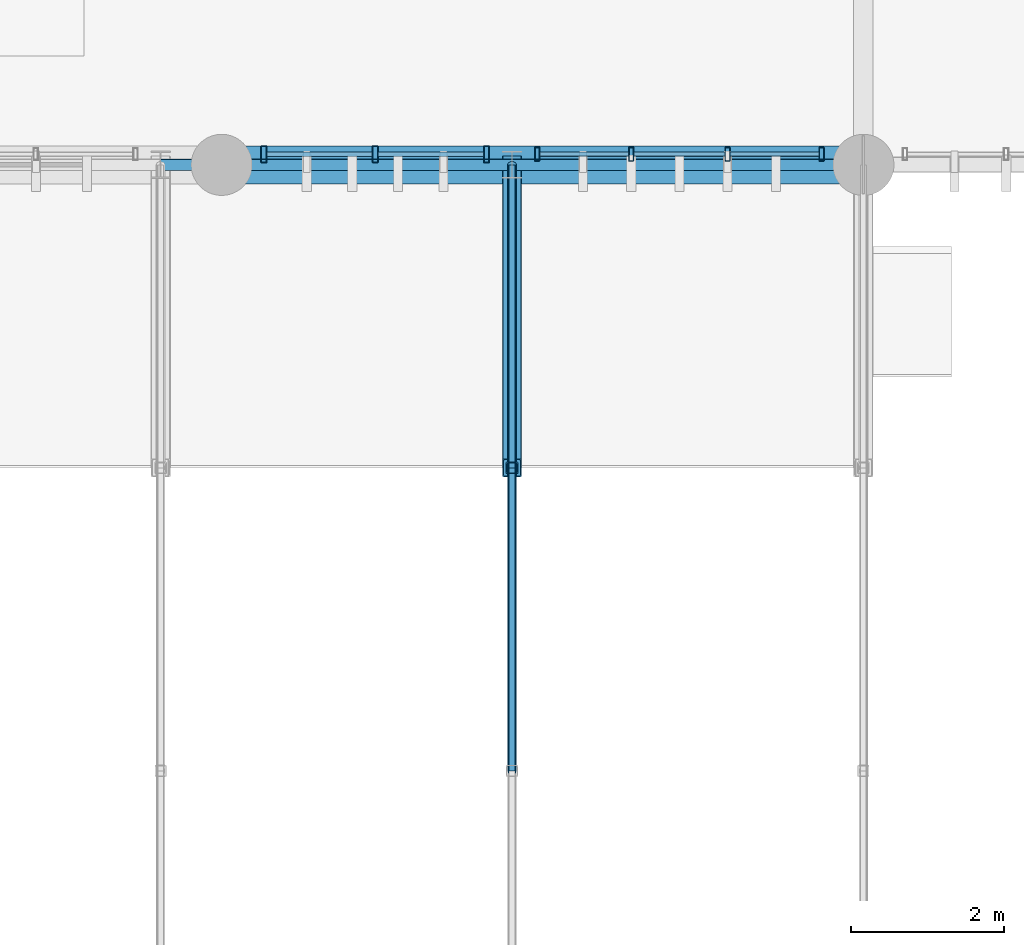
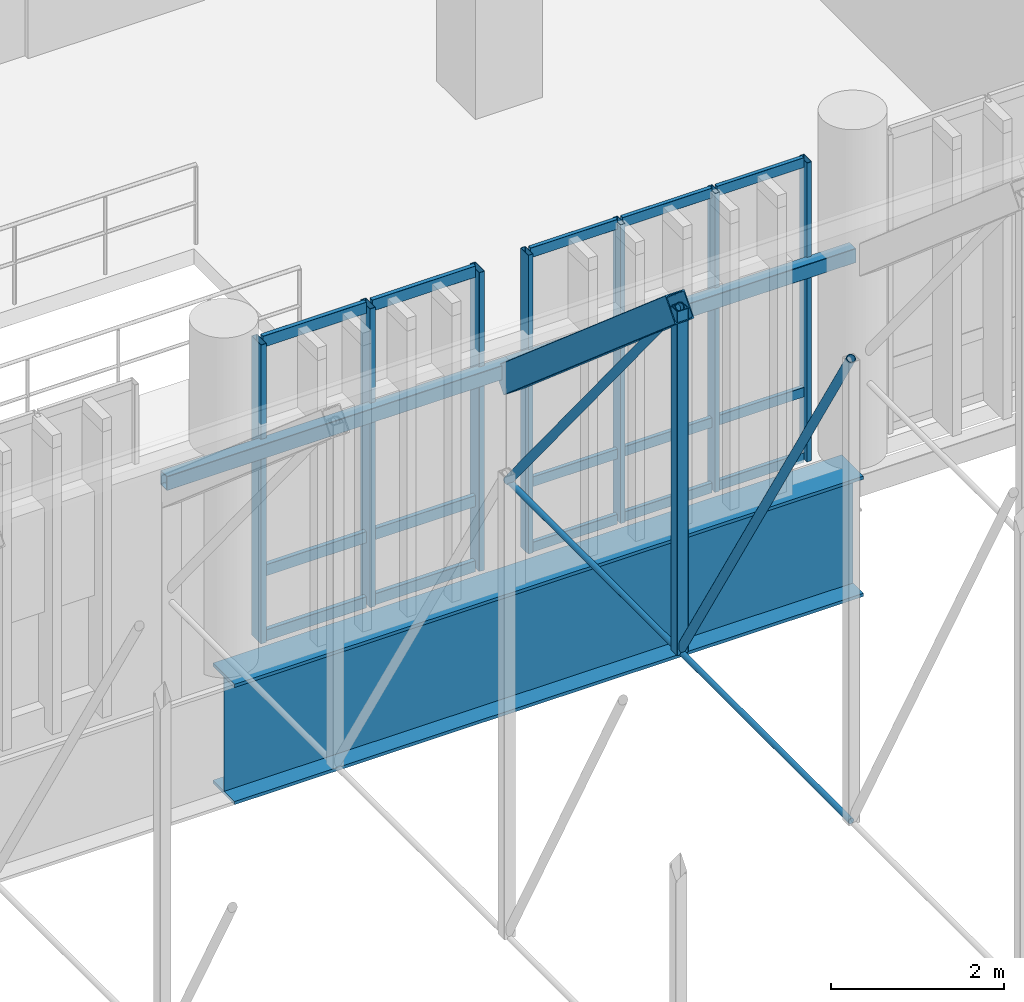
# One storey, part 19 of 109: 29 members, 2 beams, 2 elements without a shape of their own.
"""IFC4 building model written with IfcOpenShell, lengths in metres."""

from ifc_helpers import new_model, si_unit, direction, frame, origin_with_axes, origin_2d_with_axis, place, context, subcontext, project, spatial, hollow_rectangle, circle, hollow_circle, i_section, extrude, material, material_profile, profile_set, type_object, element, aggregate, save


model = new_model("IFC4")

# Units and contexts
model_context = context("Model", 3, precision=1e-05, world=origin_with_axes(), true_north=direction((0.0, 1.0)))
body_context = subcontext(model_context, "Body", "Model", "MODEL_VIEW")
ifc_project = project(units=[si_unit("LENGTHUNIT", "METRE"), si_unit("AREAUNIT", "SQUARE_METRE"), si_unit("VOLUMEUNIT", "CUBIC_METRE"), si_unit("PLANEANGLEUNIT", "RADIAN"), si_unit("MASSUNIT", "GRAM", prefix="KILO"), si_unit("THERMODYNAMICTEMPERATUREUNIT", "KELVIN")], contexts=[model_context])

# Site, building, storey
site_placement = place(None, origin_with_axes())
site = spatial("IfcSite", under=ifc_project, at=site_placement, CompositionType="ELEMENT")
building_placement = place(site_placement, origin_with_axes())
building = spatial("IfcBuilding", under=site, at=building_placement, Name="Montbau Bow Law Courts", CompositionType="ELEMENT")
storey_placement = place(building_placement, frame((0.0, 0.0, 10.8), z_axis=(0.0, 0.0, 1.0), x_axis=(1.0, 0.0, 0.0)))
storey = spatial("IfcBuildingStorey", under=building, at=storey_placement, Name="L02", CompositionType="ELEMENT", Elevation=10.8)

# Beams
ifc_material_1 = material(Name="Steel CSA G40.21 Grade 350WT (350 MPa)", Category="steel")
ifc_material_profile_1 = material_profile(ifc_material_1, hollow_rectangle(XDim=0.254, YDim=0.356, WallThickness=0.0127, InnerFilletRadius=0.0254, OuterFilletRadius=0.0127, at=origin_2d_with_axis()), Name="HSS356X254X13", Category="Main", Priority=0)
ifc_profile_set_1 = profile_set([ifc_material_profile_1], Name="Steel CSA G40.21 Grade 350WT (350 MPa)")
beam_type_1 = type_object("IfcBeamType", Name="B-ARC-01", PredefinedType="USERDEFINED", material=ifc_profile_set_1)
beam_1_placement = place(None, frame((34.4, 26.633, 16.836), z_axis=(0.0, 0.758621798, -0.651531249), x_axis=(-1.0, 0.0, 0.0)))
element("IfcBeam", 1, at=beam_1_placement, inside=storey, type_object=beam_type_1, Name="Barrel vault roof truss arch rib V1-042", ObjectType="ARCH_RIB", PredefinedType="USERDEFINED", context=body_context, shape_type="SweptSolid", body=[
    extrude(hollow_rectangle(XDim=0.254, YDim=0.356, WallThickness=0.0127, InnerFilletRadius=0.0254, OuterFilletRadius=0.0127, at=origin_2d_with_axis()), origin_with_axes(), (0.0, 0.0, 1.0), 5.22922),
])
ifc_material_profile_2 = material_profile(ifc_material_1, i_section(OverallWidth=0.5, OverallDepth=1.7, WebThickness=0.02, FlangeThickness=0.045, at=origin_2d_with_axis()), Name="WWF1700X480", Category="Main", Priority=0)
ifc_profile_set_2 = profile_set([ifc_material_profile_2], Name="Steel CSA G40.21 Grade 350WT (350 MPa)")
beam_type_2 = type_object("IfcBeamType", Name="B-TRG-02", PredefinedType="USERDEFINED", material=ifc_profile_set_2)
beam_2_placement = place(None, frame((30.6, 30.6, 9.73), z_axis=(1.0, 0.0, 0.0), x_axis=(0.0, 1.0, 0.0)))
element("IfcBeam", 2, at=beam_2_placement, inside=storey, type_object=beam_type_2, Name="VRG-L02-S0008:bm2_0011", ObjectType="GIRDER", PredefinedType="USERDEFINED", context=body_context, shape_type="SweptSolid", body=[
    extrude(i_section(OverallWidth=0.5, OverallDepth=1.7, WebThickness=0.02, FlangeThickness=0.045, at=origin_2d_with_axis()), origin_with_axes(), (0.0, 0.0, 1.0), 8.4),
])

# Curtain wall, members
ifc_material_2 = material(Name="Thermally Broken Extruded Aluminium AA 6063-T6", Category="aluminium")
curtain_wall_type = type_object("IfcCurtainWallType", Name="CW-TRC-01", PredefinedType="NOTDEFINED", material=ifc_material_2)
curtain_wall_1_placement = place(None, frame((31.115, 30.74, 10.8), z_axis=(0.0, 0.0, 1.0), x_axis=(1.0, 0.0, 0.0)))
curtain_wall_1 = element("IfcCurtainWall", 3, at=curtain_wall_1_placement, inside=storey, type_object=curtain_wall_type, Name="CW-L02-036:cw_0036", PredefinedType="NOTDEFINED")
ifc_material_profile_3 = material_profile(ifc_material_2, hollow_rectangle(XDim=0.075, YDim=0.22, WallThickness=0.005, InnerFilletRadius=0.01, OuterFilletRadius=0.005, at=origin_2d_with_axis()), Name="CWM-220X75", Category="Main", Priority=0)
ifc_profile_set_3 = profile_set([ifc_material_profile_3], Name="Thermally Broken Extruded Aluminium AA 6063-T6")
member_type_1 = type_object("IfcMemberType", Name="M-MUL-01", PredefinedType="MULLION", material=ifc_profile_set_3)
member_1_placement = place(None, frame((31.152, 30.74, 10.8), z_axis=(0.0, 0.0, 1.0), x_axis=(1.0, 0.0, 0.0)))
member_1 = element("IfcMember", 4, at=member_1_placement, type_object=member_type_1, Name="CW-L02-036-M01:cw_0036_M01", PredefinedType="MULLION", context=body_context, shape_type="SweptSolid", body=[
    extrude(hollow_rectangle(XDim=0.075, YDim=0.22, WallThickness=0.005, InnerFilletRadius=0.01, OuterFilletRadius=0.005, at=origin_2d_with_axis()), origin_with_axes(), (0.0, 0.0, 1.0), 4.22),
])
member_2_placement = place(None, frame((32.609, 30.74, 10.8), z_axis=(0.0, 0.0, 1.0), x_axis=(1.0, 0.0, 0.0)))
member_2 = element("IfcMember", 5, at=member_2_placement, type_object=member_type_1, Name="CW-L02-036-M02:cw_0036_M02", PredefinedType="MULLION", context=body_context, shape_type="SweptSolid", body=[
    extrude(hollow_rectangle(XDim=0.075, YDim=0.22, WallThickness=0.005, InnerFilletRadius=0.01, OuterFilletRadius=0.005, at=origin_2d_with_axis()), origin_with_axes(), (0.0, 0.0, 1.0), 4.22),
])
member_3_placement = place(None, frame((34.066, 30.74, 10.8), z_axis=(0.0, 0.0, 1.0), x_axis=(1.0, 0.0, 0.0)))
member_3 = element("IfcMember", 6, at=member_3_placement, type_object=member_type_1, Name="CW-L02-036-M03:cw_0036_M03", PredefinedType="MULLION", context=body_context, shape_type="SweptSolid", body=[
    extrude(hollow_rectangle(XDim=0.075, YDim=0.22, WallThickness=0.005, InnerFilletRadius=0.01, OuterFilletRadius=0.005, at=origin_2d_with_axis()), origin_with_axes(), (0.0, 0.0, 1.0), 4.22),
])

curtain_wall_2_placement = place(None, frame((34.697, 30.74, 10.8), z_axis=(0.0, 0.0, 1.0), x_axis=(1.0, 0.0, 0.0)))
curtain_wall_2 = element("IfcCurtainWall", 7, at=curtain_wall_2_placement, inside=storey, type_object=curtain_wall_type, Name="CW-L02-037:cw_0037", PredefinedType="NOTDEFINED")
ifc_material_profile_4 = material_profile(ifc_material_2, hollow_rectangle(XDim=0.065, YDim=0.18, WallThickness=0.005, InnerFilletRadius=0.01, OuterFilletRadius=0.005, at=origin_2d_with_axis()), Name="CWM-180X65", Category="Main", Priority=0)
ifc_profile_set_4 = profile_set([ifc_material_profile_4], Name="Thermally Broken Extruded Aluminium AA 6063-T6")
member_type_2 = type_object("IfcMemberType", Name="M-MUL-02", PredefinedType="MULLION", material=ifc_profile_set_4)
member_4_placement = place(None, frame((34.73, 30.74, 10.8), z_axis=(0.0, 0.0, 1.0), x_axis=(1.0, 0.0, 0.0)))
member_4 = element("IfcMember", 8, at=member_4_placement, type_object=member_type_2, Name="CW-L02-037-M01:cw_0037_M01", PredefinedType="MULLION", context=body_context, shape_type="SweptSolid", body=[
    extrude(hollow_rectangle(XDim=0.065, YDim=0.18, WallThickness=0.005, InnerFilletRadius=0.01, OuterFilletRadius=0.005, at=origin_2d_with_axis()), origin_with_axes(), (0.0, 0.0, 1.0), 4.22),
])
member_5_placement = place(None, frame((35.96, 30.74, 10.8), z_axis=(0.0, 0.0, 1.0), x_axis=(1.0, 0.0, 0.0)))
member_5 = element("IfcMember", 9, at=member_5_placement, type_object=member_type_2, Name="CW-L02-037-M02:cw_0037_M02", PredefinedType="MULLION", context=body_context, shape_type="SweptSolid", body=[
    extrude(hollow_rectangle(XDim=0.065, YDim=0.18, WallThickness=0.005, InnerFilletRadius=0.01, OuterFilletRadius=0.005, at=origin_2d_with_axis()), origin_with_axes(), (0.0, 0.0, 1.0), 4.22),
])
member_6_placement = place(None, frame((37.222, 30.74, 10.8), z_axis=(0.0, 0.0, 1.0), x_axis=(1.0, 0.0, 0.0)))
member_6 = element("IfcMember", 10, at=member_6_placement, type_object=member_type_2, Name="CW-L02-037-M03:cw_0037_M03", PredefinedType="MULLION", context=body_context, shape_type="SweptSolid", body=[
    extrude(hollow_rectangle(XDim=0.065, YDim=0.18, WallThickness=0.005, InnerFilletRadius=0.01, OuterFilletRadius=0.005, at=origin_2d_with_axis()), origin_with_axes(), (0.0, 0.0, 1.0), 4.22),
])
member_7_placement = place(None, frame((38.452, 30.74, 10.8), z_axis=(0.0, 0.0, 1.0), x_axis=(1.0, 0.0, 0.0)))
member_7 = element("IfcMember", 11, at=member_7_placement, type_object=member_type_2, Name="CW-L02-037-M04:cw_0037_M04", PredefinedType="MULLION", context=body_context, shape_type="SweptSolid", body=[
    extrude(hollow_rectangle(XDim=0.065, YDim=0.18, WallThickness=0.005, InnerFilletRadius=0.01, OuterFilletRadius=0.005, at=origin_2d_with_axis()), origin_with_axes(), (0.0, 0.0, 1.0), 4.22),
])

# Members
ifc_material_profile_5 = material_profile(ifc_material_1, hollow_rectangle(XDim=0.152, YDim=0.203, WallThickness=0.0095, InnerFilletRadius=0.019, OuterFilletRadius=0.0095, at=origin_2d_with_axis()), Name="HSS203X152X9.5", Category="Main", Priority=0)
ifc_profile_set_5 = profile_set([ifc_material_profile_5], Name="Steel CSA G40.21 Grade 350WT (350 MPa)")
member_type_3 = type_object("IfcMemberType", Name="M-PUR-01", PredefinedType="PURLIN", material=ifc_profile_set_5)
for number, where, z_axis, x_axis, name in (
    (12, (29.8, 30.6, 13.587), (1.0, 0.0, 0.0), (0.0, 1.0, 0.0), "Barrel vault roof truss purlin V1-042"),
    (13, (34.4, 30.6, 13.587), (1.0, 0.0, 0.0), (0.0, 1.0, 0.0), "Barrel vault roof truss purlin V1-049"),
):
    element("IfcMember", number, at=place(None, frame(where, z_axis=z_axis, x_axis=x_axis)), inside=storey, type_object=member_type_3, Name=name, PredefinedType="PURLIN", context=body_context, shape_type="SweptSolid", body=[
        extrude(hollow_rectangle(XDim=0.152, YDim=0.203, WallThickness=0.0095, InnerFilletRadius=0.019, OuterFilletRadius=0.0095, at=origin_2d_with_axis()), origin_with_axes(), (0.0, 0.0, 1.0), 4.6),
    ])
ifc_material_profile_6 = material_profile(ifc_material_1, hollow_rectangle(XDim=0.152, YDim=0.152, WallThickness=0.0095, InnerFilletRadius=0.019, OuterFilletRadius=0.0095, at=origin_2d_with_axis()), Name="HSS152X152X9.5", Category="Main", Priority=0)
ifc_profile_set_6 = profile_set([ifc_material_profile_6], Name="Steel CSA G40.21 Grade 350WT (350 MPa)")
member_type_4 = type_object("IfcMemberType", Name="M-STR-02", PredefinedType="STRUT", material=ifc_profile_set_6)
member_8_placement = place(None, frame((34.4, 26.633, 11.979), z_axis=(0.0, 0.0, 1.0), x_axis=(1.0, 0.0, 0.0)))
element("IfcMember", 14, at=member_8_placement, inside=storey, type_object=member_type_4, Name="Barrel vault roof truss web post V1-07-5", PredefinedType="STRUT", context=body_context, shape_type="SweptSolid", body=[
    extrude(hollow_rectangle(XDim=0.152, YDim=0.152, WallThickness=0.0095, InnerFilletRadius=0.019, OuterFilletRadius=0.0095, at=origin_2d_with_axis()), origin_with_axes(), (0.0, 0.0, 1.0), 4.857),
])
ifc_material_profile_7 = material_profile(ifc_material_1, hollow_circle(Radius=0.057, WallThickness=0.008, at=origin_2d_with_axis()), Name="HSS114X8.0", Category="Main", Priority=0)
ifc_profile_set_7 = profile_set([ifc_material_profile_7], Name="Steel CSA G40.21 Grade 350WT (350 MPa)")
member_type_5 = type_object("IfcMemberType", Name="M-STR-03", PredefinedType="STRUT", material=ifc_profile_set_7)
member_9_placement = place(None, frame((34.4, 22.667, 18.511), z_axis=(0.0, 0.518991793, -0.854779222), x_axis=(-1.0, 0.0, 0.0)))
element("IfcMember", 15, at=member_9_placement, inside=storey, type_object=member_type_5, Name="Barrel vault roof truss web diagonal V1-07-5", PredefinedType="STRUT", context=body_context, shape_type="SweptSolid", body=[
    extrude(hollow_circle(Radius=0.057, WallThickness=0.008, at=origin_2d_with_axis()), origin_with_axes(), (0.0, 0.0, 1.0), 7.641739),
])
member_10_placement = place(None, frame((34.4, 26.633, 16.836), z_axis=(0.0, 0.632577617, -0.774496971), x_axis=(-1.0, 0.0, 0.0)))
element("IfcMember", 16, at=member_10_placement, inside=storey, type_object=member_type_5, Name="Barrel vault roof truss web diagonal V1-07-6", PredefinedType="STRUT", context=body_context, shape_type="SweptSolid", body=[
    extrude(hollow_circle(Radius=0.057, WallThickness=0.008, at=origin_2d_with_axis()), origin_with_axes(), (0.0, 0.0, 1.0), 6.271167),
])
ifc_material_profile_8 = material_profile(ifc_material_1, circle(Radius=0.038, at=origin_2d_with_axis()), Name="ROD76", Category="Main", Priority=0)
ifc_profile_set_8 = profile_set([ifc_material_profile_8], Name="Steel CSA G40.21 Grade 350WT (350 MPa)")
member_type_6 = type_object("IfcMemberType", Name="M-TIE-01", PredefinedType="USERDEFINED", material=ifc_profile_set_8)
member_11_placement = place(None, frame((34.4, 22.667, 11.979), z_axis=(0.0, 1.0, 0.0), x_axis=(-1.0, 0.0, 0.0)))
element("IfcMember", 17, at=member_11_placement, inside=storey, type_object=member_type_6, Name="Barrel vault roof truss tie V1-041", ObjectType="TIEBAR", PredefinedType="USERDEFINED", context=body_context, shape_type="SweptSolid", body=[
    extrude(circle(Radius=0.038, at=origin_2d_with_axis()), origin_with_axes(), (0.0, 0.0, 1.0), 3.966),
])
member_12_placement = place(None, frame((34.4, 26.633, 11.979), z_axis=(0.0, 1.0, 0.0), x_axis=(-1.0, 0.0, 0.0)))
element("IfcMember", 18, at=member_12_placement, inside=storey, type_object=member_type_6, Name="Barrel vault roof truss tie V1-042", ObjectType="TIEBAR", PredefinedType="USERDEFINED", context=body_context, shape_type="SweptSolid", body=[
    extrude(circle(Radius=0.038, at=origin_2d_with_axis()), origin_with_axes(), (0.0, 0.0, 1.0), 3.967),
])

# Member
ifc_material_profile_9 = material_profile(ifc_material_2, hollow_rectangle(XDim=0.06, YDim=0.16, WallThickness=0.004, InnerFilletRadius=0.008, OuterFilletRadius=0.004, at=origin_2d_with_axis()), Name="CWT-160X60", Category="Main", Priority=0)
ifc_profile_set_9 = profile_set([ifc_material_profile_9], Name="Thermally Broken Extruded Aluminium AA 6063-T6")
member_type_7 = type_object("IfcMemberType", Name="M-TRN-01", PredefinedType="USERDEFINED", material=ifc_profile_set_9)
member_13_placement = place(None, frame((31.191, 30.74, 10.83), z_axis=(1.0, 0.0, 0.0), x_axis=(0.0, 1.0, 0.0)))
member_13 = element("IfcMember", 19, at=member_13_placement, type_object=member_type_7, Name="CW-L02-036-T01-1:cw_0036_T01_1", ObjectType="TRANSOM", PredefinedType="USERDEFINED", context=body_context, shape_type="SweptSolid", body=[
    extrude(hollow_rectangle(XDim=0.06, YDim=0.16, WallThickness=0.004, InnerFilletRadius=0.008, OuterFilletRadius=0.004, at=origin_2d_with_axis()), origin_with_axes(), (0.0, 0.0, 1.0), 1.378),
])

member_14_placement = place(None, frame((31.191, 30.74, 11.75), z_axis=(1.0, 0.0, 0.0), x_axis=(0.0, 1.0, 0.0)))
member_14 = element("IfcMember", 20, at=member_14_placement, type_object=member_type_7, Name="CW-L02-036-T01-2:cw_0036_T01_2", ObjectType="TRANSOM", PredefinedType="USERDEFINED", context=body_context, shape_type="SweptSolid", body=[
    extrude(hollow_rectangle(XDim=0.06, YDim=0.16, WallThickness=0.004, InnerFilletRadius=0.008, OuterFilletRadius=0.004, at=origin_2d_with_axis()), origin_with_axes(), (0.0, 0.0, 1.0), 1.378),
])

member_15_placement = place(None, frame((31.191, 30.74, 14.99), z_axis=(1.0, 0.0, 0.0), x_axis=(0.0, 1.0, 0.0)))
member_15 = element("IfcMember", 21, at=member_15_placement, type_object=member_type_7, Name="CW-L02-036-T01-3:cw_0036_T01_3", ObjectType="TRANSOM", PredefinedType="USERDEFINED", context=body_context, shape_type="SweptSolid", body=[
    extrude(hollow_rectangle(XDim=0.06, YDim=0.16, WallThickness=0.004, InnerFilletRadius=0.008, OuterFilletRadius=0.004, at=origin_2d_with_axis()), origin_with_axes(), (0.0, 0.0, 1.0), 1.378),
])

member_16_placement = place(None, frame((32.649, 30.74, 10.83), z_axis=(1.0, 0.0, 0.0), x_axis=(0.0, 1.0, 0.0)))
member_16 = element("IfcMember", 22, at=member_16_placement, type_object=member_type_7, Name="CW-L02-036-T02-1:cw_0036_T02_1", ObjectType="TRANSOM", PredefinedType="USERDEFINED", context=body_context, shape_type="SweptSolid", body=[
    extrude(hollow_rectangle(XDim=0.06, YDim=0.16, WallThickness=0.004, InnerFilletRadius=0.008, OuterFilletRadius=0.004, at=origin_2d_with_axis()), origin_with_axes(), (0.0, 0.0, 1.0), 1.378),
])

member_17_placement = place(None, frame((32.649, 30.74, 11.75), z_axis=(1.0, 0.0, 0.0), x_axis=(0.0, 1.0, 0.0)))
member_17 = element("IfcMember", 23, at=member_17_placement, type_object=member_type_7, Name="CW-L02-036-T02-2:cw_0036_T02_2", ObjectType="TRANSOM", PredefinedType="USERDEFINED", context=body_context, shape_type="SweptSolid", body=[
    extrude(hollow_rectangle(XDim=0.06, YDim=0.16, WallThickness=0.004, InnerFilletRadius=0.008, OuterFilletRadius=0.004, at=origin_2d_with_axis()), origin_with_axes(), (0.0, 0.0, 1.0), 1.378),
])

member_18_placement = place(None, frame((32.649, 30.74, 14.99), z_axis=(1.0, 0.0, 0.0), x_axis=(0.0, 1.0, 0.0)))
member_18 = element("IfcMember", 24, at=member_18_placement, type_object=member_type_7, Name="CW-L02-036-T02-3:cw_0036_T02_3", ObjectType="TRANSOM", PredefinedType="USERDEFINED", context=body_context, shape_type="SweptSolid", body=[
    extrude(hollow_rectangle(XDim=0.06, YDim=0.16, WallThickness=0.004, InnerFilletRadius=0.008, OuterFilletRadius=0.004, at=origin_2d_with_axis()), origin_with_axes(), (0.0, 0.0, 1.0), 1.378),
])

aggregate(curtain_wall_1, [member_1, member_2, member_3, member_13, member_14, member_15, member_16, member_17, member_18])

ifc_material_profile_10 = material_profile(ifc_material_2, hollow_rectangle(XDim=0.055, YDim=0.14, WallThickness=0.004, InnerFilletRadius=0.008, OuterFilletRadius=0.004, at=origin_2d_with_axis()), Name="CWT-140X55", Category="Main", Priority=0)
ifc_profile_set_10 = profile_set([ifc_material_profile_10], Name="Thermally Broken Extruded Aluminium AA 6063-T6")
member_type_8 = type_object("IfcMemberType", Name="M-TRN-02", PredefinedType="USERDEFINED", material=ifc_profile_set_10)
member_19_placement = place(None, frame((34.765, 30.74, 10.828), z_axis=(1.0, 0.0, 0.0), x_axis=(0.0, 1.0, 0.0)))
member_19 = element("IfcMember", 25, at=member_19_placement, type_object=member_type_8, Name="CW-L02-037-T01-1:cw_0037_T01_1", ObjectType="TRANSOM", PredefinedType="USERDEFINED", context=body_context, shape_type="SweptSolid", body=[
    extrude(hollow_rectangle(XDim=0.055, YDim=0.14, WallThickness=0.004, InnerFilletRadius=0.008, OuterFilletRadius=0.004, at=origin_2d_with_axis()), origin_with_axes(), (0.0, 0.0, 1.0), 1.16),
])

member_20_placement = place(None, frame((34.765, 30.74, 11.75), z_axis=(1.0, 0.0, 0.0), x_axis=(0.0, 1.0, 0.0)))
member_20 = element("IfcMember", 26, at=member_20_placement, type_object=member_type_8, Name="CW-L02-037-T01-2:cw_0037_T01_2", ObjectType="TRANSOM", PredefinedType="USERDEFINED", context=body_context, shape_type="SweptSolid", body=[
    extrude(hollow_rectangle(XDim=0.055, YDim=0.14, WallThickness=0.004, InnerFilletRadius=0.008, OuterFilletRadius=0.004, at=origin_2d_with_axis()), origin_with_axes(), (0.0, 0.0, 1.0), 1.16),
])

member_21_placement = place(None, frame((34.765, 30.74, 14.992), z_axis=(1.0, 0.0, 0.0), x_axis=(0.0, 1.0, 0.0)))
member_21 = element("IfcMember", 27, at=member_21_placement, type_object=member_type_8, Name="CW-L02-037-T01-3:cw_0037_T01_3", ObjectType="TRANSOM", PredefinedType="USERDEFINED", context=body_context, shape_type="SweptSolid", body=[
    extrude(hollow_rectangle(XDim=0.055, YDim=0.14, WallThickness=0.004, InnerFilletRadius=0.008, OuterFilletRadius=0.004, at=origin_2d_with_axis()), origin_with_axes(), (0.0, 0.0, 1.0), 1.16),
])

member_22_placement = place(None, frame((35.994, 30.74, 10.828), z_axis=(1.0, 0.0, 0.0), x_axis=(0.0, 1.0, 0.0)))
member_22 = element("IfcMember", 28, at=member_22_placement, type_object=member_type_8, Name="CW-L02-037-T02-1:cw_0037_T02_1", ObjectType="TRANSOM", PredefinedType="USERDEFINED", context=body_context, shape_type="SweptSolid", body=[
    extrude(hollow_rectangle(XDim=0.055, YDim=0.14, WallThickness=0.004, InnerFilletRadius=0.008, OuterFilletRadius=0.004, at=origin_2d_with_axis()), origin_with_axes(), (0.0, 0.0, 1.0), 1.193),
])

member_23_placement = place(None, frame((35.994, 30.74, 11.75), z_axis=(1.0, 0.0, 0.0), x_axis=(0.0, 1.0, 0.0)))
member_23 = element("IfcMember", 29, at=member_23_placement, type_object=member_type_8, Name="CW-L02-037-T02-2:cw_0037_T02_2", ObjectType="TRANSOM", PredefinedType="USERDEFINED", context=body_context, shape_type="SweptSolid", body=[
    extrude(hollow_rectangle(XDim=0.055, YDim=0.14, WallThickness=0.004, InnerFilletRadius=0.008, OuterFilletRadius=0.004, at=origin_2d_with_axis()), origin_with_axes(), (0.0, 0.0, 1.0), 1.193),
])

member_24_placement = place(None, frame((35.994, 30.74, 14.992), z_axis=(1.0, 0.0, 0.0), x_axis=(0.0, 1.0, 0.0)))
member_24 = element("IfcMember", 30, at=member_24_placement, type_object=member_type_8, Name="CW-L02-037-T02-3:cw_0037_T02_3", ObjectType="TRANSOM", PredefinedType="USERDEFINED", context=body_context, shape_type="SweptSolid", body=[
    extrude(hollow_rectangle(XDim=0.055, YDim=0.14, WallThickness=0.004, InnerFilletRadius=0.008, OuterFilletRadius=0.004, at=origin_2d_with_axis()), origin_with_axes(), (0.0, 0.0, 1.0), 1.193),
])

member_25_placement = place(None, frame((37.256, 30.74, 10.828), z_axis=(1.0, 0.0, 0.0), x_axis=(0.0, 1.0, 0.0)))
member_25 = element("IfcMember", 31, at=member_25_placement, type_object=member_type_8, Name="CW-L02-037-T03-1:cw_0037_T03_1", ObjectType="TRANSOM", PredefinedType="USERDEFINED", context=body_context, shape_type="SweptSolid", body=[
    extrude(hollow_rectangle(XDim=0.055, YDim=0.14, WallThickness=0.004, InnerFilletRadius=0.008, OuterFilletRadius=0.004, at=origin_2d_with_axis()), origin_with_axes(), (0.0, 0.0, 1.0), 1.161),
])

member_26_placement = place(None, frame((37.256, 30.74, 11.75), z_axis=(1.0, 0.0, 0.0), x_axis=(0.0, 1.0, 0.0)))
member_26 = element("IfcMember", 32, at=member_26_placement, type_object=member_type_8, Name="CW-L02-037-T03-2:cw_0037_T03_2", ObjectType="TRANSOM", PredefinedType="USERDEFINED", context=body_context, shape_type="SweptSolid", body=[
    extrude(hollow_rectangle(XDim=0.055, YDim=0.14, WallThickness=0.004, InnerFilletRadius=0.008, OuterFilletRadius=0.004, at=origin_2d_with_axis()), origin_with_axes(), (0.0, 0.0, 1.0), 1.161),
])

member_27_placement = place(None, frame((37.256, 30.74, 14.992), z_axis=(1.0, 0.0, 0.0), x_axis=(0.0, 1.0, 0.0)))
member_27 = element("IfcMember", 33, at=member_27_placement, type_object=member_type_8, Name="CW-L02-037-T03-3:cw_0037_T03_3", ObjectType="TRANSOM", PredefinedType="USERDEFINED", context=body_context, shape_type="SweptSolid", body=[
    extrude(hollow_rectangle(XDim=0.055, YDim=0.14, WallThickness=0.004, InnerFilletRadius=0.008, OuterFilletRadius=0.004, at=origin_2d_with_axis()), origin_with_axes(), (0.0, 0.0, 1.0), 1.161),
])

aggregate(curtain_wall_2, [member_4, member_5, member_6, member_7, member_19, member_20, member_21, member_22, member_23, member_24, member_25, member_26, member_27])

save(model, "model.ifc")
